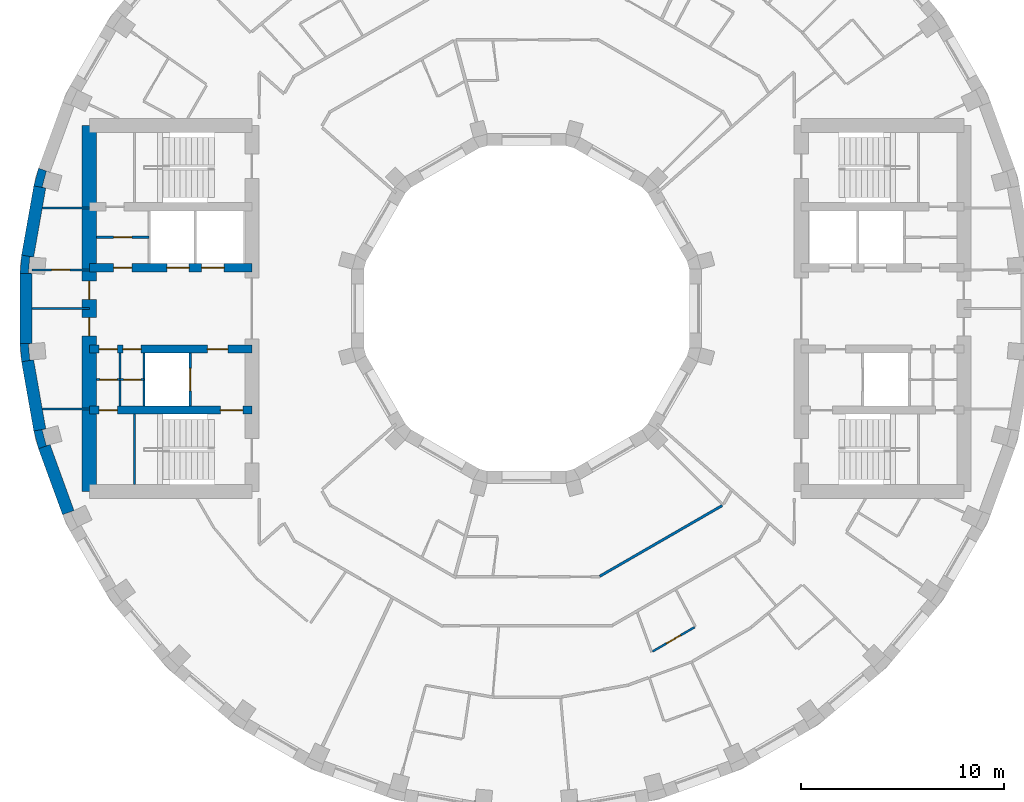
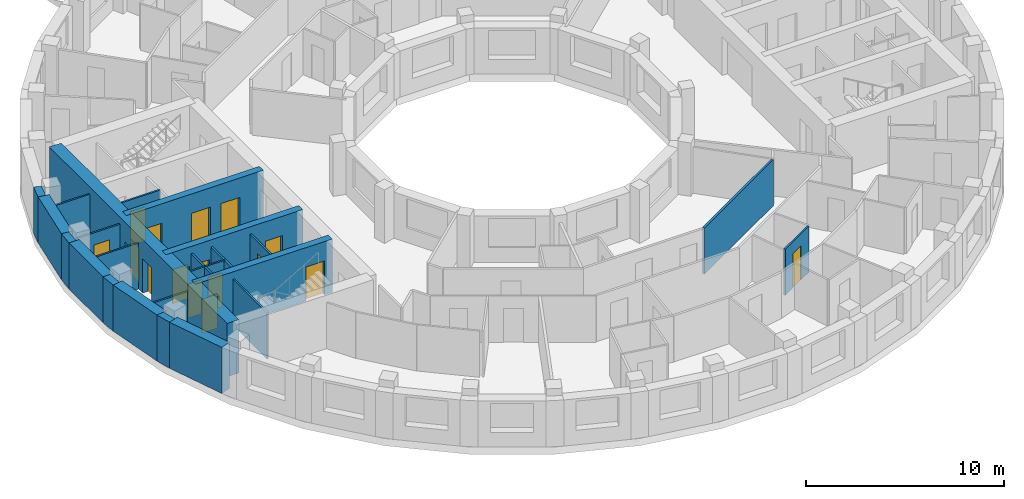
# One storey, part 5 of 13: 25 walls, 16 doors, 16 openings.
"""IFC4 building model written with IfcOpenShell, lengths in metres."""

from ifc_helpers import new_model, si_unit, direction, frame, frame_2d, origin, place, context, subcontext, project, spatial, polyline, rectangle, outline, extrude, material, layer, layer_set, type_object, element, fill, save


model = new_model("IFC4")

# Units and contexts
model_context = context("Model", 3, precision=1e-05, world=origin(), true_north=direction((0.0, 1.0)))
body_context = subcontext(model_context, "Body", "Model", "MODEL_VIEW")
ifc_project = project(units=[si_unit("LENGTHUNIT", "METRE"), si_unit("AREAUNIT", "SQUARE_METRE"), si_unit("VOLUMEUNIT", "CUBIC_METRE"), si_unit("PLANEANGLEUNIT", "RADIAN"), si_unit("MASSUNIT", "GRAM", prefix="KILO")], contexts=[model_context])

# Site, building, storey
site_placement = place(None, origin())
site = spatial("IfcSite", under=ifc_project, at=site_placement, CompositionType="ELEMENT")
building_placement = place(site_placement, origin())
building = spatial("IfcBuilding", under=site, at=building_placement, Name="Saqina Gate Tower", CompositionType="ELEMENT")
storey_placement = place(building_placement, frame((0.0, 0.0, 207.0)))
storey = spatial("IfcBuildingStorey", under=building, at=storey_placement, Name="L59", CompositionType="ELEMENT", Elevation=207.0)

# Walls
ifc_material_1 = material(Name="Brick masonry (buff)", Category="masonry")
wall_type_1 = type_object("IfcWallType", Name="BRICK PIER COPING BUFF", PredefinedType="SOLIDWALL", material=ifc_material_1)
wall_1_placement = place(storey_placement, origin())
element("IfcWall", 1, at=wall_1_placement, inside=storey, type_object=wall_type_1, Name="Pier cap L59 column 17", PredefinedType="SOLIDWALL", context=body_context, shape_type="SweptSolid", body=[
    extrude(outline(polyline([(-24.22705078125, 6.0234375), (-23.635986328125, 5.919189453125), (-23.81689453125, 5.967529296875), (-23.610107421875, 6.740478515625), (-23.428955078125, 6.69189453125), (-23.992919921875, 6.897216796875), (-24.22705078125, 6.0234375)])), origin(), (0.0, 0.0, 1.0), 2.85009765625),
])
wall_2_placement = place(storey_placement, origin())
element("IfcWall", 2, at=wall_2_placement, inside=storey, type_object=wall_type_1, Name="Pier cap L59 column 18", PredefinedType="SOLIDWALL", context=body_context, shape_type="SweptSolid", body=[
    extrude(outline(polyline([(-24.825927734375, 2.6259765625), (-24.90478515625, 1.724853515625), (-24.304931640625, 1.724853515625), (-24.491455078125, 1.7412109375), (-24.421630859375, 2.5380859375), (-24.235107421875, 2.521728515625), (-24.825927734375, 2.6259765625)])), origin(), (0.0, 0.0, 1.0), 2.85009765625),
])
wall_3_placement = place(storey_placement, origin())
element("IfcWall", 3, at=wall_3_placement, inside=storey, type_object=wall_type_1, Name="Pier cap L59 column 19", PredefinedType="SOLIDWALL", context=body_context, shape_type="SweptSolid", body=[
    extrude(outline(polyline([(-24.90478515625, -1.724853515625), (-24.825927734375, -2.6259765625), (-24.235107421875, -2.521728515625), (-24.421630859375, -2.5380859375), (-24.491455078125, -1.7412109375), (-24.304931640625, -1.724853515625), (-24.90478515625, -1.724853515625)])), origin(), (0.0, 0.0, 1.0), 2.85009765625),
])
wall_4_placement = place(storey_placement, origin())
element("IfcWall", 4, at=wall_4_placement, inside=storey, type_object=wall_type_1, Name="Pier cap L59 column 20", PredefinedType="SOLIDWALL", context=body_context, shape_type="SweptSolid", body=[
    extrude(outline(polyline([(-24.22705078125, -6.0234375), (-23.992919921875, -6.897216796875), (-23.428955078125, -6.69189453125), (-23.610107421875, -6.740478515625), (-23.81689453125, -5.967529296875), (-23.635986328125, -5.919189453125), (-24.22705078125, -6.0234375)])), origin(), (0.0, 0.0, 1.0), 2.85009765625),
])
ifc_material_2 = material(Name="Gypsum board on steel studs", Category="steel")
ifc_layer_1 = layer(ifc_material_2, 0.10009765625)
ifc_layer_set_1 = layer_set([ifc_layer_1], Name="CORE PARTITION")
wall_type_2 = type_object("IfcWallType", Name="CORE PARTITION", PredefinedType="PARTITIONING", material=ifc_layer_set_1)
wall_5_placement = place(storey_placement, frame((-21.5, 4.949951171875, 0.0), z_axis=(0.0, 0.0, 1.0), x_axis=(-1.0, 0.0, 0.0)))
element("IfcWall", 5, at=wall_5_placement, inside=storey, type_object=wall_type_2, Name="L59-CP-W01", PredefinedType="PARTITIONING", context=body_context, shape_type="SweptSolid", body=[
    extrude(rectangle(XDim=2.306884765625, YDim=0.10009765625, at=frame_2d((1.1533203125, 0.0))), origin(), (0.0, 0.0, 1.0), 2.85009765625),
])

# Wall, opening, door
wall_6_placement = place(storey_placement, frame((-21.5, 1.89990234375, 0.0), z_axis=(0.0, 0.0, 1.0), x_axis=(-1.0, 0.0, 0.0)))
wall_6 = element("IfcWall", 6, at=wall_6_placement, inside=storey, type_object=wall_type_2, Name="L59-CP-W02", PredefinedType="PARTITIONING", context=body_context, shape_type="SweptSolid", body=[
    extrude(rectangle(XDim=2.804931640625, YDim=0.10009765625, at=frame_2d((1.40234375, 0.0))), origin(), (0.0, 0.0, 1.0), 2.85009765625),
])
opening_1_placement = place(wall_6_placement, frame((0.952392578125, 0.0, 0.0)))
opening_1 = element("IfcOpeningElement", 7, at=opening_1_placement, cuts=wall_6, Name="Opening G17-D110", PredefinedType="OPENING", context=body_context, shape_type="SweptSolid", body=[
    extrude(rectangle(XDim=0.89990234375, YDim=2.10009765625, at=frame_2d((0.449951171875, 1.050048828125))), frame((0.0, 0.06201171875, 0.0), z_axis=(0.0, -1.0, 0.0), x_axis=(1.0, 0.0, 0.0)), (0.0, 0.0, 1.0), 0.1240234375),
])
ifc_material_3 = material(Name="Steel-framed fire door leaf, EI 60", Category="steel")
door_type_1 = type_object("IfcDoorType", Name="SERVICE ROOM DOOR 900", OperationType="SINGLE_SWING_LEFT", PredefinedType="DOOR", material=ifc_material_3)
door_1_placement = place(opening_1_placement, frame((0.89990234375, 0.0, 0.0), z_axis=(0.0, 0.0, 1.0), x_axis=(-1.0, 0.0, 0.0)))
door_1 = element("IfcDoor", 8, at=door_1_placement, inside=storey, type_object=door_type_1, Name="L59-CD-W21", OperationType="SINGLE_SWING_RIGHT", OverallHeight=2.10009765625, OverallWidth=0.89990234375, PredefinedType="DOOR", context=body_context, shape_type="SweptSolid", body=[
    extrude(rectangle(XDim=0.89990234375, YDim=2.10009765625, at=frame_2d((0.449951171875, 1.050048828125))), frame((0.0, 0.02490234375, 0.0), z_axis=(0.0, -1.0, 0.0), x_axis=(1.0, 0.0, 0.0)), (0.0, 0.0, 1.0), 0.050048828125),
])
fill(opening_1, door_1)

# Walls
wall_7_placement = place(storey_placement, frame((-21.5, -4.949951171875, 0.0), z_axis=(0.0, 0.0, 1.0), x_axis=(-1.0, 0.0, 0.0)))
element("IfcWall", 9, at=wall_7_placement, inside=storey, type_object=wall_type_2, Name="L59-CP-W03", PredefinedType="PARTITIONING", context=body_context, shape_type="SweptSolid", body=[
    extrude(rectangle(XDim=2.306884765625, YDim=0.10009765625, at=frame_2d((1.1533203125, 0.0))), origin(), (0.0, 0.0, 1.0), 2.85009765625),
])
wall_8_placement = place(storey_placement, frame((-21.5, 0.0, 0.0), z_axis=(0.0, 0.0, 1.0), x_axis=(-1.0, 0.0, 0.0)))
element("IfcWall", 10, at=wall_8_placement, inside=storey, type_object=wall_type_2, Name="L59-CP-W04", PredefinedType="PARTITIONING", context=body_context, shape_type="SweptSolid", body=[
    extrude(rectangle(XDim=2.804931640625, YDim=0.10009765625, at=frame_2d((1.40234375, 0.0))), origin(), (0.0, 0.0, 1.0), 2.85009765625),
])
wall_9_placement = place(storey_placement, frame((-19.97998046875, -4.800048828125, 0.0), z_axis=(0.0, 0.0, 1.0), x_axis=(0.0, 1.0, 0.0)))
element("IfcWall", 11, at=wall_9_placement, inside=storey, type_object=wall_type_2, Name="L59-CP-W09", PredefinedType="PARTITIONING", context=body_context, shape_type="SweptSolid", body=[
    extrude(rectangle(XDim=2.60009765625, YDim=0.10009765625, at=frame_2d((1.300048828125, 0.0))), origin(), (0.0, 0.0, 1.0), 2.85009765625),
])

# Wall, opening, door
wall_10_placement = place(storey_placement, frame((-18.56005859375, 3.5, 0.0), z_axis=(0.0, 0.0, 1.0), x_axis=(-1.0, 0.0, 0.0)))
wall_10 = element("IfcWall", 12, at=wall_10_placement, inside=storey, type_object=wall_type_2, Name="L59-CP-W10", PredefinedType="PARTITIONING", context=body_context, shape_type="SweptSolid", body=[
    extrude(rectangle(XDim=2.58984375, YDim=0.10009765625, at=frame_2d((1.294921875, 0.0))), origin(), (0.0, 0.0, 1.0), 2.85009765625),
])
opening_2_placement = place(wall_10_placement, frame((0.844970703125, 0.0, 0.0)))
opening_2 = element("IfcOpeningElement", 13, at=opening_2_placement, cuts=wall_10, Name="Opening G17-D113", PredefinedType="OPENING", context=body_context, shape_type="SweptSolid", body=[
    extrude(rectangle(XDim=0.89990234375, YDim=2.10009765625, at=frame_2d((0.449951171875, 1.050048828125))), frame((0.0, 0.06201171875, 0.0), z_axis=(0.0, -1.0, 0.0), x_axis=(1.0, 0.0, 0.0)), (0.0, 0.0, 1.0), 0.1240234375),
])
door_2_placement = place(opening_2_placement, frame((0.89990234375, 0.0, 0.0), z_axis=(0.0, 0.0, 1.0), x_axis=(-1.0, 0.0, 0.0)))
door_2 = element("IfcDoor", 14, at=door_2_placement, inside=storey, type_object=door_type_1, Name="L59-CD-W24", OperationType="SINGLE_SWING_LEFT", OverallHeight=2.10009765625, OverallWidth=0.89990234375, PredefinedType="DOOR", context=body_context, shape_type="SweptSolid", body=[
    extrude(rectangle(XDim=0.89990234375, YDim=2.10009765625, at=frame_2d((0.449951171875, 1.050048828125))), frame((0.0, 0.02490234375, 0.0), z_axis=(0.0, -1.0, 0.0), x_axis=(1.0, 0.0, 0.0)), (0.0, 0.0, 1.0), 0.050048828125),
])
fill(opening_2, door_2)

wall_11_placement = place(storey_placement, frame((-18.81005859375, -3.5, 0.0), z_axis=(0.0, 0.0, 1.0), x_axis=(-1.0, 0.0, 0.0)))
wall_11 = element("IfcWall", 15, at=wall_11_placement, inside=storey, type_object=wall_type_2, Name="L59-CP-W11", PredefinedType="PARTITIONING", context=body_context, shape_type="SweptSolid", body=[
    extrude(rectangle(XDim=1.169921875, YDim=0.10009765625, at=frame_2d((0.5849609375, 0.0))), origin(), (0.0, 0.0, 1.0), 2.85009765625),
])
opening_3_placement = place(wall_11_placement, frame((0.14990234375, 0.0, 0.0)))
opening_3 = element("IfcOpeningElement", 16, at=opening_3_placement, cuts=wall_11, Name="Opening G17-D115", PredefinedType="OPENING", context=body_context, shape_type="SweptSolid", body=[
    extrude(rectangle(XDim=0.85009765625, YDim=2.10009765625, at=frame_2d((0.425048828125, 1.050048828125))), frame((0.0, 0.06201171875, 0.0), z_axis=(0.0, -1.0, 0.0), x_axis=(1.0, 0.0, 0.0)), (0.0, 0.0, 1.0), 0.1240234375),
])
ifc_material_4 = material(Name="Steel-framed fire door leaf, EI 60", Category="steel")
door_type_2 = type_object("IfcDoorType", Name="SERVICE ROOM DOOR 850", OperationType="SINGLE_SWING_LEFT", PredefinedType="DOOR", material=ifc_material_4)
door_3_placement = place(opening_3_placement, origin())
door_3 = element("IfcDoor", 17, at=door_3_placement, inside=storey, type_object=door_type_2, Name="L59-CD-W26", OperationType="SINGLE_SWING_LEFT", OverallHeight=2.10009765625, OverallWidth=0.85009765625, PredefinedType="DOOR", context=body_context, shape_type="SweptSolid", body=[
    extrude(rectangle(XDim=0.85009765625, YDim=2.10009765625, at=frame_2d((0.425048828125, 1.050048828125))), frame((0.0, 0.02490234375, 0.0), z_axis=(0.0, -1.0, 0.0), x_axis=(1.0, 0.0, 0.0)), (0.0, 0.0, 1.0), 0.050048828125),
])
fill(opening_3, door_3)

wall_12_placement = place(storey_placement, frame((-19.97998046875, -3.5, 0.0), z_axis=(0.0, 0.0, 1.0), x_axis=(-1.0, 0.0, 0.0)))
wall_12 = element("IfcWall", 18, at=wall_12_placement, inside=storey, type_object=wall_type_2, Name="L59-CP-W12", PredefinedType="PARTITIONING", context=body_context, shape_type="SweptSolid", body=[
    extrude(rectangle(XDim=1.169921875, YDim=0.10009765625, at=frame_2d((0.5849609375, 0.0))), origin(), (0.0, 0.0, 1.0), 2.85009765625),
])
opening_4_placement = place(wall_12_placement, frame((0.14990234375, 0.0, 0.0)))
opening_4 = element("IfcOpeningElement", 19, at=opening_4_placement, cuts=wall_12, Name="Opening G17-D116", PredefinedType="OPENING", context=body_context, shape_type="SweptSolid", body=[
    extrude(rectangle(XDim=0.85009765625, YDim=2.10009765625, at=frame_2d((0.425048828125, 1.050048828125))), frame((0.0, 0.06201171875, 0.0), z_axis=(0.0, -1.0, 0.0), x_axis=(1.0, 0.0, 0.0)), (0.0, 0.0, 1.0), 0.1240234375),
])
door_4_placement = place(opening_4_placement, origin())
door_4 = element("IfcDoor", 20, at=door_4_placement, inside=storey, type_object=door_type_2, Name="L59-CD-W27", OperationType="SINGLE_SWING_RIGHT", OverallHeight=2.10009765625, OverallWidth=0.85009765625, PredefinedType="DOOR", context=body_context, shape_type="SweptSolid", body=[
    extrude(rectangle(XDim=0.85009765625, YDim=2.10009765625, at=frame_2d((0.425048828125, 1.050048828125))), frame((0.0, 0.02490234375, 0.0), z_axis=(0.0, -1.0, 0.0), x_axis=(1.0, 0.0, 0.0)), (0.0, 0.0, 1.0), 0.050048828125),
])
fill(opening_4, door_4)

# Walls
ifc_material_5 = material(Name="Glazed ceramic tile", Category="ceramic")
ifc_layer_2 = layer(ifc_material_5, 0.60009765625)
ifc_layer_set_2 = layer_set([ifc_layer_2], Name="FW-TILE")
wall_type_3 = type_object("IfcWallType", Name="FW-TILE", PredefinedType="SOLIDWALL", material=ifc_layer_set_2)
for number, where, z_axis, x_axis, name in (
    (21, (-24.60498046875, 1.724853515625, 0.0), (0.0, 0.0, 1.0), (0.0, -1.0, 0.0), "Facade wall L59 facet 18"),
    (22, (-23.7109375, -6.79443359375, 0.0), (0.0, 0.0, 1.0), (0.342032843455, -0.93968799822, 0.0), "Facade wall L59 facet 20"),
):
    element("IfcWall", number, at=place(storey_placement, frame(where, z_axis=z_axis, x_axis=x_axis)), inside=storey, type_object=wall_type_3, Name=name, PredefinedType="SOLIDWALL", context=body_context, shape_type="SweptSolid", body=[
        extrude(rectangle(XDim=3.44970703125, YDim=0.60009765625, at=frame_2d((1.724853515625, 0.0))), origin(), (0.0, 0.0, 1.0), 2.85009765625),
    ])
ifc_material_6 = material(Name="Glazed ceramic tile (dark blue)", Category="ceramic")
ifc_layer_3 = layer(ifc_material_6, 0.60009765625)
ifc_layer_set_3 = layer_set([ifc_layer_3], Name="FW-TILE-CB")
wall_type_4 = type_object("IfcWallType", Name="FW-TILE-CB", PredefinedType="SOLIDWALL", material=ifc_layer_set_3)
wall_13_placement = place(storey_placement, frame((-24.530517578125, -2.573974609375, 0.0), z_axis=(0.0, 0.0, 1.0), x_axis=(0.173607684551, -0.984814892183, 0.0)))
element("IfcWall", 23, at=wall_13_placement, inside=storey, type_object=wall_type_4, Name="Facade wall L59 facet 19", PredefinedType="SOLIDWALL", context=body_context, shape_type="SweptSolid", body=[
    extrude(rectangle(XDim=3.44970703125, YDim=0.60009765625, at=frame_2d((1.724853515625, 0.0))), origin(), (0.0, 0.0, 1.0), 2.85009765625),
])
ifc_material_7 = material(Name="Glazed ceramic tile (white)", Category="ceramic")
ifc_layer_4 = layer(ifc_material_7, 0.60009765625)
ifc_layer_set_4 = layer_set([ifc_layer_4], Name="FW-TILE-WH")
wall_type_5 = type_object("IfcWallType", Name="FW-TILE-WH", PredefinedType="SOLIDWALL", material=ifc_layer_set_4)
wall_14_placement = place(storey_placement, frame((-23.931640625, 5.97119140625, 0.0), z_axis=(0.0, 0.0, 1.0), x_axis=(-0.173607684551, -0.984814892183, 0.0)))
element("IfcWall", 24, at=wall_14_placement, inside=storey, type_object=wall_type_5, Name="Facade wall L59 facet 17", PredefinedType="SOLIDWALL", context=body_context, shape_type="SweptSolid", body=[
    extrude(rectangle(XDim=3.44970703125, YDim=0.60009765625, at=frame_2d((1.724853515625, 0.0))), origin(), (0.0, 0.0, 1.0), 2.85009765625),
])

# Wall, opening, door
ifc_material_8 = material(Name="Gypsum board on steel studs, 100 mm", Category="steel")
ifc_layer_5 = layer(ifc_material_8, 0.10009765625)
ifc_layer_set_5 = layer_set([ifc_layer_5], Name="PARTITION 100")
wall_type_6 = type_object("IfcWallType", Name="PARTITION 100", PredefinedType="PARTITIONING", material=ifc_layer_set_5)
wall_15_placement = place(storey_placement, frame((6.192138671875, -16.863037109375, 0.0), z_axis=(0.0, 0.0, 1.0), x_axis=(0.866112296403, 0.49984946736, 0.0)))
wall_15 = element("IfcWall", 25, at=wall_15_placement, inside=storey, type_object=wall_type_6, Name="PARTITION PW3-42", PredefinedType="PARTITIONING", context=body_context, shape_type="SweptSolid", body=[
    extrude(rectangle(XDim=2.385009765625, YDim=0.10009765625, at=frame_2d((1.1923828125, 0.0))), origin(), (0.0, 0.0, 1.0), 2.85009765625),
])
opening_5_placement = place(wall_15_placement, frame((0.79150390625, 0.0, 0.0)))
opening_5 = element("IfcOpeningElement", 26, at=opening_5_placement, cuts=wall_15, Name="Opening G17-D41", PredefinedType="OPENING", context=body_context, shape_type="SweptSolid", body=[
    extrude(rectangle(XDim=0.800048828125, YDim=2.10009765625, at=frame_2d((0.39990234375, 1.050048828125))), frame((0.0, 0.06201171875, 0.0), z_axis=(0.0, -1.0, 0.0), x_axis=(1.0, 0.0, 0.0)), (0.0, 0.0, 1.0), 0.1240234375),
])
ifc_material_9 = material(Name="Timber door leaf, 800 mm", Category="wood")
door_type_3 = type_object("IfcDoorType", Name="DOOR 800 TIMBER", OperationType="SINGLE_SWING_LEFT", PredefinedType="DOOR", material=ifc_material_9)
door_5_placement = place(opening_5_placement, frame((0.800048828125, 0.0, 0.0), z_axis=(0.0, 0.0, 1.0), x_axis=(-1.0, 0.0, 0.0)))
door_5 = element("IfcDoor", 27, at=door_5_placement, inside=storey, type_object=door_type_3, Name="DOOR G17-D41", OperationType="SINGLE_SWING_RIGHT", OverallHeight=2.10009765625, OverallWidth=0.800048828125, PredefinedType="DOOR", context=body_context, shape_type="SweptSolid", body=[
    extrude(rectangle(XDim=0.800048828125, YDim=2.10009765625, at=frame_2d((0.39990234375, 1.050048828125))), frame((0.0, 0.02490234375, 0.0), z_axis=(0.0, -1.0, 0.0), x_axis=(1.0, 0.0, 0.0)), (0.0, 0.0, 1.0), 0.050048828125),
])
fill(opening_5, door_5)

# Wall
ifc_material_10 = material(Name="Gypsum board on steel studs, 125 mm, fire rated", Category="steel")
ifc_layer_6 = layer(ifc_material_10, 0.125)
ifc_layer_set_6 = layer_set([ifc_layer_6], Name="PARTITION EI 30 125")
wall_type_7 = type_object("IfcWallType", Name="PARTITION EI 30 125", PredefinedType="PARTITIONING", material=ifc_layer_set_6)
wall_16_placement = place(storey_placement, frame((3.591064453125, -13.168701171875, 0.0), z_axis=(0.0, 0.0, 1.0), x_axis=(0.866023753919, 0.50000285764, 0.0)))
element("IfcWall", 28, at=wall_16_placement, inside=storey, type_object=wall_type_7, Name="PARTITION PW1-30", PredefinedType="PARTITIONING", context=body_context, shape_type="SweptSolid", body=[
    extrude(rectangle(XDim=6.958984375, YDim=0.125, at=frame_2d((3.4794921875, 0.0))), origin(), (0.0, 0.0, 1.0), 2.85009765625),
])

# Wall, opening, door
ifc_material_11 = material(Name="Autoclaved aerated concrete block", Category="concrete")
ifc_layer_7 = layer(ifc_material_11, 0.1201171875)
ifc_layer_set_7 = layer_set([ifc_layer_7], Name="SHAFT PARTITION")
wall_type_8 = type_object("IfcWallType", Name="SHAFT PARTITION", PredefinedType="PARTITIONING", material=ifc_layer_set_7)
wall_17_placement = place(storey_placement, frame((-16.530029296875, -4.800048828125, 0.0), z_axis=(0.0, 0.0, 1.0), x_axis=(0.0, 1.0, 0.0)))
wall_17 = element("IfcWall", 29, at=wall_17_placement, inside=storey, type_object=wall_type_8, Name="L59-CP-W07", PredefinedType="PARTITIONING", context=body_context, shape_type="SweptSolid", body=[
    extrude(rectangle(XDim=2.60009765625, YDim=0.1201171875, at=frame_2d((1.300048828125, 0.0))), origin(), (0.0, 0.0, 1.0), 2.85009765625),
])
opening_6_placement = place(wall_17_placement, frame((0.75, 0.0, 0.0)))
opening_6 = element("IfcOpeningElement", 30, at=opening_6_placement, cuts=wall_17, Name="Opening G17-LD6", PredefinedType="OPENING", context=body_context, shape_type="SweptSolid", body=[
    extrude(rectangle(XDim=1.10009765625, YDim=2.10009765625, at=frame_2d((0.550048828125, 1.050048828125))), frame((0.0, 0.072021484375, 0.0), z_axis=(0.0, -1.0, 0.0), x_axis=(1.0, 0.0, 0.0)), (0.0, 0.0, 1.0), 0.14404296875),
])
ifc_material_12 = material(Name="Stainless steel", Category="steel")
door_type_4 = type_object("IfcDoorType", Name="LANDING DOOR", OperationType="DOUBLE_DOOR_SLIDING", PredefinedType="DOOR", material=ifc_material_12)
door_6_placement = place(opening_6_placement, origin())
door_6 = element("IfcDoor", 31, at=door_6_placement, inside=storey, type_object=door_type_4, Name="LANDING DOOR FF2", OperationType="DOUBLE_DOOR_SLIDING", OverallHeight=2.10009765625, OverallWidth=1.10009765625, PredefinedType="DOOR", context=body_context, shape_type="SweptSolid", body=[
    extrude(rectangle(XDim=1.10009765625, YDim=2.10009765625, at=frame_2d((0.550048828125, 1.050048828125))), frame((0.0, 0.02490234375, 0.0), z_axis=(0.0, -1.0, 0.0), x_axis=(1.0, 0.0, 0.0)), (0.0, 0.0, 1.0), 0.050048828125),
])
fill(opening_6, door_6)

# Walls
wall_18_placement = place(storey_placement, frame((-18.81005859375, -4.800048828125, 0.0), z_axis=(0.0, 0.0, 1.0), x_axis=(0.0, 1.0, 0.0)))
element("IfcWall", 32, at=wall_18_placement, inside=storey, type_object=wall_type_8, Name="L59-CP-W08", PredefinedType="PARTITIONING", context=body_context, shape_type="SweptSolid", body=[
    extrude(rectangle(XDim=2.60009765625, YDim=0.1201171875, at=frame_2d((1.300048828125, 0.0))), origin(), (0.0, 0.0, 1.0), 2.85009765625),
])
ifc_material_13 = material(Name="Autoclaved aerated concrete block", Category="concrete")
ifc_layer_8 = layer(ifc_material_13, 0.10009765625)
ifc_layer_set_8 = layer_set([ifc_layer_8], Name="STAIR ENCLOSURE WALL")
wall_type_9 = type_object("IfcWallType", Name="STAIR ENCLOSURE WALL", PredefinedType="PARTITIONING", material=ifc_layer_set_8)
wall_19_placement = place(storey_placement, frame((-19.27001953125, -8.64990234375, 0.0), z_axis=(0.0, 0.0, 1.0), x_axis=(0.0, 1.0, 0.0)))
element("IfcWall", 33, at=wall_19_placement, inside=storey, type_object=wall_type_9, Name="L59-CP-W14", PredefinedType="PARTITIONING", context=body_context, shape_type="SweptSolid", body=[
    extrude(rectangle(XDim=3.449951171875, YDim=0.10009765625, at=frame_2d((1.72509765625, 0.0))), origin(), (0.0, 0.0, 1.0), 2.85009765625),
])

# Wall, openings, doors
ifc_material_14 = material(Name="Concrete C60/75", Category="concrete")
ifc_layer_9 = layer(ifc_material_14, 0.39990234375)
ifc_layer_set_9 = layer_set([ifc_layer_9], Name="Concrete C60/75")
wall_type_10 = type_object("IfcWallType", Name="STR-CORE WALL-C-I", PredefinedType="SHEAR", material=ifc_layer_set_9)
wall_20_placement = place(storey_placement, frame((-13.5, -5.0, 0.0), z_axis=(0.0, 0.0, 1.0), x_axis=(-1.0, 0.0, 0.0)))
wall_20 = element("IfcWall", 34, at=wall_20_placement, inside=storey, type_object=wall_type_10, Name="CORE WALL L59 W-X2", PredefinedType="SHEAR", context=body_context, shape_type="SweptSolid", body=[
    extrude(rectangle(XDim=8.0, YDim=0.39990234375, at=frame_2d((4.0, 0.0))), origin(), (0.0, 0.0, 1.0), 3.300048828125),
])
opening_7_placement = place(wall_20_placement, frame((6.614990234375, 0.0, 0.0)))
opening_7 = element("IfcOpeningElement", 35, at=opening_7_placement, cuts=wall_20, Name="Opening G17-D117", PredefinedType="OPENING", context=body_context, shape_type="SweptSolid", body=[
    extrude(rectangle(XDim=0.89990234375, YDim=2.10009765625, at=frame_2d((0.449951171875, 1.050048828125))), frame((0.0, 0.2119140625, 0.0), z_axis=(0.0, -1.0, 0.0), x_axis=(1.0, 0.0, 0.0)), (0.0, 0.0, 1.0), 0.423828125),
])
opening_8_placement = place(wall_20_placement, frame((0.449951171875, 0.0, 0.0)))
opening_8 = element("IfcOpeningElement", 36, at=opening_8_placement, cuts=wall_20, Name="Opening G17-D118", PredefinedType="OPENING", context=body_context, shape_type="SweptSolid", body=[
    extrude(rectangle(XDim=1.10009765625, YDim=2.10009765625, at=frame_2d((0.550048828125, 1.050048828125))), frame((0.0, 0.2119140625, 0.0), z_axis=(0.0, -1.0, 0.0), x_axis=(1.0, 0.0, 0.0)), (0.0, 0.0, 1.0), 0.423828125),
])
ifc_material_15 = material(Name="Steel", Category="steel")
door_type_5 = type_object("IfcDoorType", Name="FIRE LOBBY DOOR EI 60 WIDE", OperationType="SINGLE_SWING_LEFT", PredefinedType="DOOR", material=ifc_material_15)
door_7_placement = place(opening_8_placement, origin())
door_7 = element("IfcDoor", 37, at=door_7_placement, inside=storey, type_object=door_type_5, Name="L59-CD-W29", OperationType="SINGLE_SWING_LEFT", OverallHeight=2.10009765625, OverallWidth=1.10009765625, PredefinedType="DOOR", context=body_context, shape_type="SweptSolid", body=[
    extrude(rectangle(XDim=1.10009765625, YDim=2.10009765625, at=frame_2d((0.550048828125, 1.050048828125))), frame((0.0, 0.02490234375, 0.0), z_axis=(0.0, -1.0, 0.0), x_axis=(1.0, 0.0, 0.0)), (0.0, 0.0, 1.0), 0.050048828125),
])
fill(opening_8, door_7)
door_8_placement = place(opening_7_placement, origin())
door_8 = element("IfcDoor", 38, at=door_8_placement, inside=storey, type_object=door_type_1, Name="L59-CD-W28", OperationType="SINGLE_SWING_RIGHT", OverallHeight=2.10009765625, OverallWidth=0.89990234375, PredefinedType="DOOR", context=body_context, shape_type="SweptSolid", body=[
    extrude(rectangle(XDim=0.89990234375, YDim=2.10009765625, at=frame_2d((0.449951171875, 1.050048828125))), frame((0.0, 0.02490234375, 0.0), z_axis=(0.0, -1.0, 0.0), x_axis=(1.0, 0.0, 0.0)), (0.0, 0.0, 1.0), 0.050048828125),
])
fill(opening_7, door_8)

wall_21_placement = place(storey_placement, frame((-13.5, 2.0, 0.0), z_axis=(0.0, 0.0, 1.0), x_axis=(-1.0, 0.0, 0.0)))
wall_21 = element("IfcWall", 39, at=wall_21_placement, inside=storey, type_object=wall_type_10, Name="CORE WALL L59 W-L1", PredefinedType="SHEAR", context=body_context, shape_type="SweptSolid", body=[
    extrude(rectangle(XDim=8.0, YDim=0.39990234375, at=frame_2d((4.0, 0.0))), origin(), (0.0, 0.0, 1.0), 3.300048828125),
])
opening_9_placement = place(wall_21_placement, frame((1.3701171875, 0.0, 0.0)))
opening_9 = element("IfcOpeningElement", 40, at=opening_9_placement, cuts=wall_21, Name="Opening G17-LD4", PredefinedType="OPENING", context=body_context, shape_type="SweptSolid", body=[
    extrude(rectangle(XDim=1.10009765625, YDim=2.10009765625, at=frame_2d((0.550048828125, 1.050048828125))), frame((0.0, 0.2119140625, 0.0), z_axis=(0.0, -1.0, 0.0), x_axis=(1.0, 0.0, 0.0)), (0.0, 0.0, 1.0), 0.423828125),
])
opening_10_placement = place(wall_21_placement, frame((3.090087890625, 0.0, 0.0)))
opening_10 = element("IfcOpeningElement", 41, at=opening_10_placement, cuts=wall_21, Name="Opening G17-LD5", PredefinedType="OPENING", context=body_context, shape_type="SweptSolid", body=[
    extrude(rectangle(XDim=1.10009765625, YDim=2.10009765625, at=frame_2d((0.550048828125, 1.050048828125))), frame((0.0, 0.2119140625, 0.0), z_axis=(0.0, -1.0, 0.0), x_axis=(1.0, 0.0, 0.0)), (0.0, 0.0, 1.0), 0.423828125),
])
opening_11_placement = place(wall_21_placement, frame((5.905029296875, 0.0, 0.0)))
opening_11 = element("IfcOpeningElement", 42, at=opening_11_placement, cuts=wall_21, Name="Opening G17-D106", PredefinedType="OPENING", context=body_context, shape_type="SweptSolid", body=[
    extrude(rectangle(XDim=0.89990234375, YDim=2.10009765625, at=frame_2d((0.449951171875, 1.050048828125))), frame((0.0, 0.2119140625, 0.0), z_axis=(0.0, -1.0, 0.0), x_axis=(1.0, 0.0, 0.0)), (0.0, 0.0, 1.0), 0.423828125),
])
door_9_placement = place(opening_9_placement, origin())
door_9 = element("IfcDoor", 43, at=door_9_placement, inside=storey, type_object=door_type_4, Name="LANDING DOOR HR3", OperationType="DOUBLE_DOOR_SLIDING", OverallHeight=2.10009765625, OverallWidth=1.10009765625, PredefinedType="DOOR", context=body_context, shape_type="SweptSolid", body=[
    extrude(rectangle(XDim=1.10009765625, YDim=2.10009765625, at=frame_2d((0.550048828125, 1.050048828125))), frame((0.0, 0.02490234375, 0.0), z_axis=(0.0, -1.0, 0.0), x_axis=(1.0, 0.0, 0.0)), (0.0, 0.0, 1.0), 0.050048828125),
])
fill(opening_9, door_9)
door_10_placement = place(opening_10_placement, origin())
door_10 = element("IfcDoor", 44, at=door_10_placement, inside=storey, type_object=door_type_4, Name="LANDING DOOR HR4", OperationType="DOUBLE_DOOR_SLIDING", OverallHeight=2.10009765625, OverallWidth=1.10009765625, PredefinedType="DOOR", context=body_context, shape_type="SweptSolid", body=[
    extrude(rectangle(XDim=1.10009765625, YDim=2.10009765625, at=frame_2d((0.550048828125, 1.050048828125))), frame((0.0, 0.02490234375, 0.0), z_axis=(0.0, -1.0, 0.0), x_axis=(1.0, 0.0, 0.0)), (0.0, 0.0, 1.0), 0.050048828125),
])
fill(opening_10, door_10)
door_11_placement = place(opening_11_placement, frame((0.89990234375, 0.0, 0.0), z_axis=(0.0, 0.0, 1.0), x_axis=(-1.0, 0.0, 0.0)))
door_11 = element("IfcDoor", 45, at=door_11_placement, inside=storey, type_object=door_type_1, Name="L59-CD-W17", OperationType="SINGLE_SWING_LEFT", OverallHeight=2.10009765625, OverallWidth=0.89990234375, PredefinedType="DOOR", context=body_context, shape_type="SweptSolid", body=[
    extrude(rectangle(XDim=0.89990234375, YDim=2.10009765625, at=frame_2d((0.449951171875, 1.050048828125))), frame((0.0, 0.02490234375, 0.0), z_axis=(0.0, -1.0, 0.0), x_axis=(1.0, 0.0, 0.0)), (0.0, 0.0, 1.0), 0.050048828125),
])
fill(opening_11, door_11)

wall_22_placement = place(storey_placement, frame((-13.5, -2.0, 0.0), z_axis=(0.0, 0.0, 1.0), x_axis=(-1.0, 0.0, 0.0)))
wall_22 = element("IfcWall", 46, at=wall_22_placement, inside=storey, type_object=wall_type_10, Name="CORE WALL L59 W-L2", PredefinedType="SHEAR", context=body_context, shape_type="SweptSolid", body=[
    extrude(rectangle(XDim=8.0, YDim=0.39990234375, at=frame_2d((4.0, 0.0))), origin(), (0.0, 0.0, 1.0), 3.300048828125),
])
opening_12_placement = place(wall_22_placement, frame((1.18994140625, 0.0, 0.0)))
opening_12 = element("IfcOpeningElement", 47, at=opening_12_placement, cuts=wall_22, Name="Opening G17-D107", PredefinedType="OPENING", context=body_context, shape_type="SweptSolid", body=[
    extrude(rectangle(XDim=1.0, YDim=2.10009765625, at=frame_2d((0.5, 1.050048828125))), frame((0.0, 0.2119140625, 0.0), z_axis=(0.0, -1.0, 0.0), x_axis=(1.0, 0.0, 0.0)), (0.0, 0.0, 1.0), 0.423828125),
])
opening_13_placement = place(wall_22_placement, frame((5.445068359375, 0.0, 0.0)))
opening_13 = element("IfcOpeningElement", 48, at=opening_13_placement, cuts=wall_22, Name="Opening G17-D108", PredefinedType="OPENING", context=body_context, shape_type="SweptSolid", body=[
    extrude(rectangle(XDim=0.89990234375, YDim=2.10009765625, at=frame_2d((0.449951171875, 1.050048828125))), frame((0.0, 0.2119140625, 0.0), z_axis=(0.0, -1.0, 0.0), x_axis=(1.0, 0.0, 0.0)), (0.0, 0.0, 1.0), 0.423828125),
])
opening_14_placement = place(wall_22_placement, frame((6.614990234375, 0.0, 0.0)))
opening_14 = element("IfcOpeningElement", 49, at=opening_14_placement, cuts=wall_22, Name="Opening G17-D109", PredefinedType="OPENING", context=body_context, shape_type="SweptSolid", body=[
    extrude(rectangle(XDim=0.89990234375, YDim=2.10009765625, at=frame_2d((0.449951171875, 1.050048828125))), frame((0.0, 0.2119140625, 0.0), z_axis=(0.0, -1.0, 0.0), x_axis=(1.0, 0.0, 0.0)), (0.0, 0.0, 1.0), 0.423828125),
])
ifc_material_16 = material(Name="Steel", Category="steel")
door_type_6 = type_object("IfcDoorType", Name="FIRE LOBBY DOOR EI 60", OperationType="SINGLE_SWING_LEFT", PredefinedType="DOOR", material=ifc_material_16)
door_12_placement = place(opening_12_placement, frame((1.0, 0.0, 0.0), z_axis=(0.0, 0.0, 1.0), x_axis=(-1.0, 0.0, 0.0)))
door_12 = element("IfcDoor", 50, at=door_12_placement, inside=storey, type_object=door_type_6, Name="L59-CD-W18", OperationType="SINGLE_SWING_RIGHT", OverallHeight=2.10009765625, OverallWidth=1.0, PredefinedType="DOOR", context=body_context, shape_type="SweptSolid", body=[
    extrude(rectangle(XDim=1.0, YDim=2.10009765625, at=frame_2d((0.5, 1.050048828125))), frame((0.0, 0.02490234375, 0.0), z_axis=(0.0, -1.0, 0.0), x_axis=(1.0, 0.0, 0.0)), (0.0, 0.0, 1.0), 0.050048828125),
])
fill(opening_12, door_12)
door_13_placement = place(opening_13_placement, origin())
door_13 = element("IfcDoor", 51, at=door_13_placement, inside=storey, type_object=door_type_1, Name="L59-CD-W19", OperationType="SINGLE_SWING_LEFT", OverallHeight=2.10009765625, OverallWidth=0.89990234375, PredefinedType="DOOR", context=body_context, shape_type="SweptSolid", body=[
    extrude(rectangle(XDim=0.89990234375, YDim=2.10009765625, at=frame_2d((0.449951171875, 1.050048828125))), frame((0.0, 0.02490234375, 0.0), z_axis=(0.0, -1.0, 0.0), x_axis=(1.0, 0.0, 0.0)), (0.0, 0.0, 1.0), 0.050048828125),
])
fill(opening_13, door_13)
door_14_placement = place(opening_14_placement, origin())
door_14 = element("IfcDoor", 52, at=door_14_placement, inside=storey, type_object=door_type_1, Name="L59-CD-W20", OperationType="SINGLE_SWING_RIGHT", OverallHeight=2.10009765625, OverallWidth=0.89990234375, PredefinedType="DOOR", context=body_context, shape_type="SweptSolid", body=[
    extrude(rectangle(XDim=0.89990234375, YDim=2.10009765625, at=frame_2d((0.449951171875, 1.050048828125))), frame((0.0, 0.02490234375, 0.0), z_axis=(0.0, -1.0, 0.0), x_axis=(1.0, 0.0, 0.0)), (0.0, 0.0, 1.0), 0.050048828125),
])
fill(opening_14, door_14)

ifc_material_17 = material(Name="Concrete C60/75", Category="concrete")
ifc_layer_10 = layer(ifc_material_17, 0.699951171875)
ifc_layer_set_10 = layer_set([ifc_layer_10], Name="Concrete C60/75")
wall_type_11 = type_object("IfcWallType", Name="STR-CORE WALL-C-O", PredefinedType="SHEAR", material=ifc_layer_set_10)
wall_23_placement = place(storey_placement, frame((-21.5, -9.0, 0.0), z_axis=(0.0, 0.0, 1.0), x_axis=(0.0, 1.0, 0.0)))
wall_23 = element("IfcWall", 53, at=wall_23_placement, inside=storey, type_object=wall_type_11, Name="CORE WALL L59 W-W2", PredefinedType="SHEAR", context=body_context, shape_type="SweptSolid", body=[
    extrude(rectangle(XDim=18.0, YDim=0.699951171875, at=frame_2d((9.0, 0.0))), origin(), (0.0, 0.0, 1.0), 3.300048828125),
])
opening_15_placement = place(wall_23_placement, frame((9.449951171875, 0.0, 0.0)))
opening_15 = element("IfcOpeningElement", 54, at=opening_15_placement, cuts=wall_23, Name="Opening G17-D111", PredefinedType="OPENING", context=body_context, shape_type="SweptSolid", body=[
    extrude(rectangle(XDim=0.89990234375, YDim=2.10009765625, at=frame_2d((0.449951171875, 1.050048828125))), frame((0.0, 0.362060546875, 0.0), z_axis=(0.0, -1.0, 0.0), x_axis=(1.0, 0.0, 0.0)), (0.0, 0.0, 1.0), 0.723876953125),
])
opening_16_placement = place(wall_23_placement, frame((7.64990234375, 0.0, 0.0)))
opening_16 = element("IfcOpeningElement", 55, at=opening_16_placement, cuts=wall_23, Name="Opening G17-D112", PredefinedType="OPENING", context=body_context, shape_type="SweptSolid", body=[
    extrude(rectangle(XDim=0.89990234375, YDim=2.10009765625, at=frame_2d((0.449951171875, 1.050048828125))), frame((0.0, 0.362060546875, 0.0), z_axis=(0.0, -1.0, 0.0), x_axis=(1.0, 0.0, 0.0)), (0.0, 0.0, 1.0), 0.723876953125),
])
door_15_placement = place(opening_15_placement, origin())
door_15 = element("IfcDoor", 56, at=door_15_placement, inside=storey, type_object=door_type_1, Name="L59-CD-W22", OperationType="SINGLE_SWING_RIGHT", OverallHeight=2.10009765625, OverallWidth=0.89990234375, PredefinedType="DOOR", context=body_context, shape_type="SweptSolid", body=[
    extrude(rectangle(XDim=0.89990234375, YDim=2.10009765625, at=frame_2d((0.449951171875, 1.050048828125))), frame((0.0, 0.02490234375, 0.0), z_axis=(0.0, -1.0, 0.0), x_axis=(1.0, 0.0, 0.0)), (0.0, 0.0, 1.0), 0.050048828125),
])
fill(opening_15, door_15)
door_16_placement = place(opening_16_placement, origin())
door_16 = element("IfcDoor", 57, at=door_16_placement, inside=storey, type_object=door_type_1, Name="L59-CD-W23", OperationType="SINGLE_SWING_RIGHT", OverallHeight=2.10009765625, OverallWidth=0.89990234375, PredefinedType="DOOR", context=body_context, shape_type="SweptSolid", body=[
    extrude(rectangle(XDim=0.89990234375, YDim=2.10009765625, at=frame_2d((0.449951171875, 1.050048828125))), frame((0.0, 0.02490234375, 0.0), z_axis=(0.0, -1.0, 0.0), x_axis=(1.0, 0.0, 0.0)), (0.0, 0.0, 1.0), 0.050048828125),
])
fill(opening_16, door_16)

save(model, "model.ifc")
